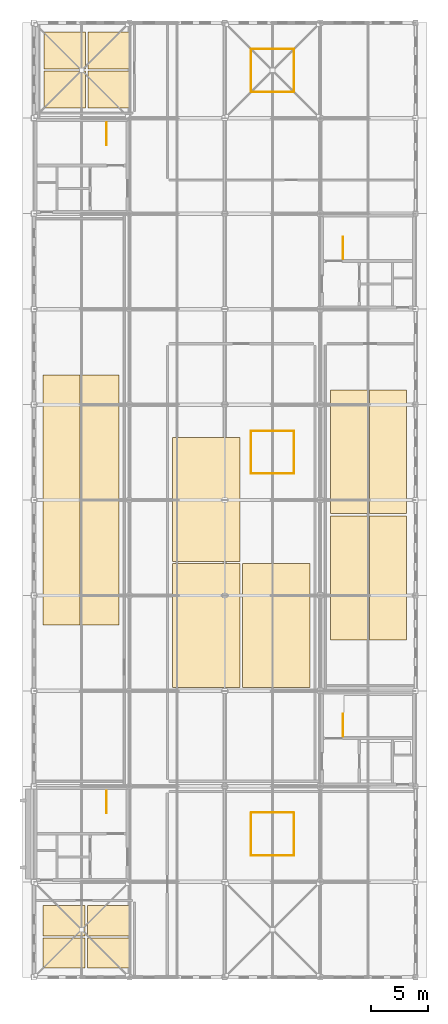
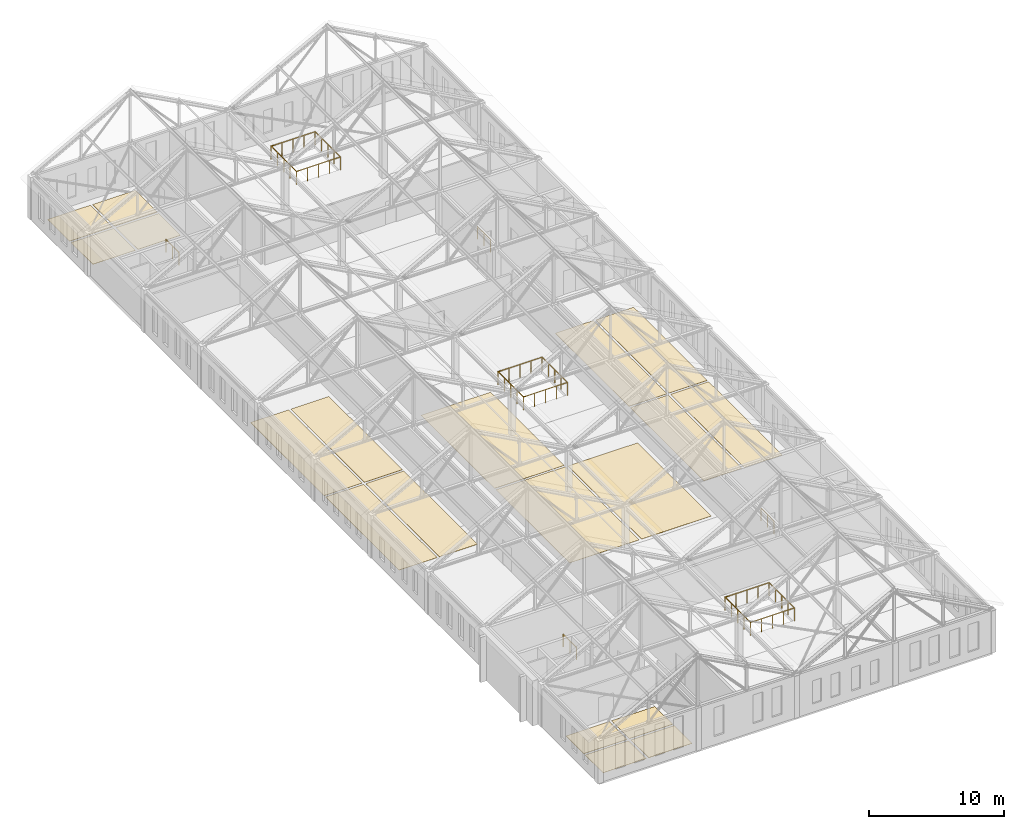
# One storey, part 36 of 36: 19 coverings, 16 railings.
"""IFC4 building model written with IfcOpenShell, lengths in metres."""

import ifcopenshell
import ifcopenshell.guid

model = None  # the IFC model being written
_history = None  # IfcOwnerHistory: only IFC2X3 demands one
_inside = {}  # id of a spatial element -> (the spatial element, [elements in it])
_under = {}  # id of a project, library or spatial element -> (it, [spatial elements below it])
_declared = {}  # id of a project -> (the project, [libraries it declares])
_typed = {}  # id of a type object -> (the type object, [elements of that type])
_made_of = {}  # id of a material, layer set ... -> (it, [elements and type objects made of it])


def new_model(schema):
    """Start an empty IFC model of exactly this schema.

    Asked for "IFC4X3", IfcOpenShell would pick the latest addendum, in which some entities
    have other attributes; the version numbers below select the first issue.
    IFC2X3 requires an IfcOwnerHistory on every rooted entity: one is made here for all.
    """
    global model, _history
    if schema == "IFC4X3":
        model = ifcopenshell.file(schema_version=(4, 3, 0, 0))
    else:
        model = ifcopenshell.file(schema=schema)
    _inside.clear()
    _under.clear()
    _declared.clear()
    _typed.clear()
    _made_of.clear()
    _history = None
    if model.schema == "IFC2X3":
        org = make("IfcOrganization", Name="unknown")
        user = make(
            "IfcPersonAndOrganization",
            ThePerson=make("IfcPerson", FamilyName="unknown"),
            TheOrganization=org,
        )
        app = make(
            "IfcApplication",
            ApplicationDeveloper=org,
            Version="unknown",
            ApplicationFullName="unknown",
            ApplicationIdentifier="unknown",
        )
        _history = make(
            "IfcOwnerHistory",
            OwningUser=user,
            OwningApplication=app,
            ChangeAction="ADDED",
            CreationDate=0,
        )
    return model


def make(cls, **values):
    """One entity of the class cls with the attributes given. An attribute that is None is left unset."""
    return model.create_entity(
        cls, **{name: value for name, value in values.items() if value is not None}
    )


def rooted(cls, **values):
    """An entity with a GlobalId (a new one), such as an element, a storey or a relation."""
    return make(cls, GlobalId=ifcopenshell.guid.new(), OwnerHistory=_history, **values)


def si_unit(unit_type, name, prefix=None):
    """IfcSIUnit, for example si_unit("LENGTHUNIT", "METRE", prefix="MILLI")."""
    return make("IfcSIUnit", UnitType=unit_type, Prefix=prefix, Name=name)


def assignment(units):
    """IfcUnitAssignment: the units of a project."""
    return None if units is None else make("IfcUnitAssignment", Units=units)


def point(xyz):
    """IfcCartesianPoint."""
    return None if xyz is None else make("IfcCartesianPoint", Coordinates=xyz)


def direction(xyz):
    """IfcDirection."""
    return None if xyz is None else make("IfcDirection", DirectionRatios=xyz)


def frame(location, z_axis=None, x_axis=None):
    """IfcAxis2Placement3D, a coordinate frame: its origin and axes. An axis left out is left unset."""
    return make(
        "IfcAxis2Placement3D",
        Location=point(location),
        Axis=direction(z_axis),
        RefDirection=direction(x_axis),
    )


def frame_2d(location, x_axis=None):
    """IfcAxis2Placement2D, a coordinate frame in the plane: its origin and x axis."""
    return make(
        "IfcAxis2Placement2D", Location=point(location), RefDirection=direction(x_axis)
    )


def origin():
    """The frame at (0, 0, 0) with its axes left unset."""
    return frame((0.0, 0.0, 0.0))


def origin_2d():
    """The frame at (0, 0) in the plane with its x axis left unset."""
    return frame_2d((0.0, 0.0))


def place(relative_to, where):
    """IfcLocalPlacement: puts the frame where relative to a parent placement (None: the world)."""
    return make(
        "IfcLocalPlacement", PlacementRelTo=relative_to, RelativePlacement=where
    )


def context(
    kind, dimensions, precision=None, world=None, true_north=None, identifier=None
):
    """IfcGeometricRepresentationContext, for example the 3D "Model" context."""
    return make(
        "IfcGeometricRepresentationContext",
        ContextIdentifier=identifier,
        ContextType=kind,
        CoordinateSpaceDimension=dimensions,
        Precision=precision,
        WorldCoordinateSystem=world,
        TrueNorth=true_north,
    )


def subcontext(parent, identifier, kind, view, scale=None):
    """IfcGeometricRepresentationSubContext, for example "Body" below "Model"."""
    return make(
        "IfcGeometricRepresentationSubContext",
        ContextIdentifier=identifier,
        ContextType=kind,
        ParentContext=parent,
        TargetScale=scale,
        TargetView=view,
    )


def project(units=None, contexts=None):
    """IfcProject with its units and contexts."""
    return rooted(
        "IfcProject",
        Name="project",
        RepresentationContexts=contexts,
        UnitsInContext=assignment(units),
    )


def spatial(cls, under=None, at=None, **own):
    """A site, building, storey or space (cls), placed at a placement, below another one or the project."""
    s = rooted(cls, ObjectPlacement=at, **own)
    if under is not None:
        _under.setdefault(under.id(), (under, []))[1].append(s)
    return s


def profile(cls, at=None, kind="AREA", **sizes):
    """A parametric profile (cls). Its sizes go by their IFC names, for example OverallWidth=200.0."""
    return make(cls, ProfileType=kind, Position=at, **sizes)


def rectangle(**sizes):
    """IfcRectangleProfileDef."""
    return profile("IfcRectangleProfileDef", **sizes)


def circle(**sizes):
    """IfcCircleProfileDef."""
    return profile("IfcCircleProfileDef", **sizes)


def extrude(swept, where, along, depth):
    """IfcExtrudedAreaSolid: the profile swept, set in the frame where, extruded along a direction by depth."""
    return make(
        "IfcExtrudedAreaSolid",
        SweptArea=swept,
        Position=where,
        ExtrudedDirection=direction(along),
        Depth=depth,
    )


def shape(context_of_items, identifier, shape_type, items):
    """IfcShapeRepresentation: the items that make up one representation, for example the "Body"."""
    return make(
        "IfcShapeRepresentation",
        ContextOfItems=context_of_items,
        RepresentationIdentifier=identifier,
        RepresentationType=shape_type,
        Items=items,
    )


def material(Name=None, Category=None):
    """IfcMaterial."""
    return make("IfcMaterial", Name=Name, Category=Category)


def layer(
    of_material, thickness, ventilated=None, Name=None, Category=None, Priority=None
):
    """IfcMaterialLayer: one layer of a wall or slab, of a material (None: an air gap)."""
    return make(
        "IfcMaterialLayer",
        Material=of_material,
        LayerThickness=thickness,
        IsVentilated=ventilated,
        Name=Name,
        Category=Category,
        Priority=Priority,
    )


def layer_set(layers, Name=None):
    """IfcMaterialLayerSet."""
    return make("IfcMaterialLayerSet", MaterialLayers=layers, LayerSetName=Name)


def made_of(thing, what):
    """Note that an element or type object is made of a material, layer set ...; save() writes the relation."""
    if what is not None:
        _made_of.setdefault(what.id(), (what, []))[1].append(thing)
    return thing


def type_object(cls, material=None, **own):
    """A type object (cls), such as IfcWallType, which elements share."""
    return made_of(rooted(cls, **own), material)


def element(
    cls,
    number,
    at=None,
    inside=None,
    cuts=None,
    type_object=None,
    material=None,
    context=None,
    identifier="Body",
    shape_type=None,
    held_by="IfcProductDefinitionShape",
    body=None,
    shapes=None,
    **own,
):
    """One element of the class cls, such as IfcWall. Its Tag is "e" and its number.

    at: its placement. inside: the storey or other place that contains it. cuts: it is an
    opening in that element (IfcRelVoidsElement). A single representation is given by context,
    identifier, shape_type and body (its items); several are given by shapes. held_by: the class
    of the entity that holds the representations. save() writes the other relations.
    """
    e = rooted(cls, Tag="e%d" % number, ObjectPlacement=at, **own)
    if body is not None:
        shapes = [shape(context, identifier, shape_type, body)]
    if shapes is not None:
        e.Representation = make(held_by, Representations=shapes)
    if inside is not None:
        _inside.setdefault(inside.id(), (inside, []))[1].append(e)
    if cuts is not None:
        rooted(
            "IfcRelVoidsElement", RelatingBuildingElement=cuts, RelatedOpeningElement=e
        )
    if type_object is not None:
        _typed.setdefault(type_object.id(), (type_object, []))[1].append(e)
    return made_of(e, material)


def aggregate(whole, parts):
    """IfcRelAggregates: a whole, such as a stair, and the parts it consists of."""
    return rooted("IfcRelAggregates", RelatingObject=whole, RelatedObjects=parts)


def save(model, path):
    """Write the relations noted so far, then the file.

    IfcRelAggregates (storeys below a building ...), IfcRelContainedInSpatialStructure (elements
    in a storey), IfcRelDefinesByType, IfcRelAssociatesMaterial and IfcRelDeclares: one each for
    every whole, place, type object, material and project.
    """
    for whole, parts in _under.values():
        aggregate(whole, parts)
    for where, things in _inside.values():
        rooted(
            "IfcRelContainedInSpatialStructure",
            RelatedElements=things,
            RelatingStructure=where,
        )
    for kind, things in _typed.values():
        rooted("IfcRelDefinesByType", RelatedObjects=things, RelatingType=kind)
    for what, things in _made_of.values():
        rooted("IfcRelAssociatesMaterial", RelatedObjects=things, RelatingMaterial=what)
    for by, libraries in _declared.values():
        rooted("IfcRelDeclares", RelatingContext=by, RelatedDefinitions=libraries)
    model.write(path)


model = new_model("IFC4")

# Units and contexts
model_context = context("Model", 3, precision=1e-05, world=origin(), true_north=direction((0.0, 1.0)))
body_context = subcontext(model_context, "Body", "Model", "MODEL_VIEW")
ifc_project = project(units=[si_unit("LENGTHUNIT", "METRE"), si_unit("AREAUNIT", "SQUARE_METRE"), si_unit("VOLUMEUNIT", "CUBIC_METRE"), si_unit("PLANEANGLEUNIT", "RADIAN"), si_unit("MASSUNIT", "GRAM", prefix="KILO")], contexts=[model_context])

# Site, building, storey
site_placement = place(None, origin())
site = spatial("IfcSite", under=ifc_project, at=site_placement, CompositionType="ELEMENT")
building_placement = place(site_placement, origin())
building = spatial("IfcBuilding", under=site, at=building_placement, Name="Kveldsbrygga Polytechnic", CompositionType="ELEMENT")
storey_placement = place(building_placement, frame((0.0, 0.0, 26.179931640625)))
storey = spatial("IfcBuildingStorey", under=building, at=storey_placement, Name="L06", CompositionType="ELEMENT", Elevation=26.179931640625)

# Coverings
ifc_material_1 = material(Name="Iddefjord granite honed paving", Category="masonry")
ifc_layer_1 = layer(ifc_material_1, 0.02490234375)
ifc_layer_set_1 = layer_set([ifc_layer_1], Name="Iddefjord granite honed paving")
covering_type_1 = type_object("IfcCoveringType", Name="COV-FLR-GRN25", PredefinedType="FLOORING", material=ifc_layer_set_1)
for number, where, z_axis, x_axis, name in (
    (1, (128.72509765625, 94.925048828125, 0.0), (0.0, 0.0, 1.0), (1.0, 0.0, 0.0), "Room Flooring SP-L06-WC1-WS"),
    (2, (128.72509765625, 98.375, 0.0), (0.0, 0.0, 1.0), (1.0, 0.0, 0.0), "Room Flooring SP-L06-WC1-WN"),
    (3, (132.574951171875, 94.925048828125, 0.0), (0.0, 0.0, 1.0), (1.0, 0.0, 0.0), "Room Flooring SP-L06-WC1-ES"),
    (4, (132.574951171875, 98.375, 0.0), (0.0, 0.0, 1.0), (1.0, 0.0, 0.0), "Room Flooring SP-L06-WC1-EN"),
):
    element("IfcCovering", number, at=place(storey_placement, frame(where, z_axis=z_axis, x_axis=x_axis)), inside=storey, type_object=covering_type_1, Name=name, PredefinedType="FLOORING", context=body_context, shape_type="SweptSolid", body=[
        extrude(rectangle(XDim=3.64990234375, YDim=3.25, at=origin_2d()), origin(), (0.0, 0.0, 1.0), 0.02490234375),
    ])
ifc_material_2 = material(Name="Acoustic oak timber flooring", Category="wood")
ifc_layer_2 = layer(ifc_material_2, 0.02197265625)
ifc_layer_set_2 = layer_set([ifc_layer_2], Name="Acoustic oak timber flooring")
covering_type_2 = type_object("IfcCoveringType", Name="COV-FLR-OAK22", PredefinedType="FLOORING", material=ifc_layer_set_2)
for number, where, z_axis, x_axis, name in (
    (5, (128.425048828125, 53.25, 0.0), (0.0, 0.0, 1.0), (1.0, 0.0, 0.0), "Room Flooring SP-L06-STD61-WS"),
    (6, (128.425048828125, 64.35009765625, 0.0), (0.0, 0.0, 1.0), (1.0, 0.0, 0.0), "Room Flooring SP-L06-STD61-WN"),
    (7, (131.875, 53.25, 0.0), (0.0, 0.0, 1.0), (1.0, 0.0, 0.0), "Room Flooring SP-L06-STD61-ES"),
    (8, (131.875, 64.35009765625, 0.0), (0.0, 0.0, 1.0), (1.0, 0.0, 0.0), "Room Flooring SP-L06-STD61-EN"),
):
    element("IfcCovering", number, at=place(storey_placement, frame(where, z_axis=z_axis, x_axis=x_axis)), inside=storey, type_object=covering_type_2, Name=name, PredefinedType="FLOORING", context=body_context, shape_type="SweptSolid", body=[
        extrude(rectangle(XDim=3.25, YDim=10.89990234375, at=origin_2d()), origin(), (0.0, 0.0, 1.0), 0.02197265625),
    ])
for number, where, z_axis, x_axis, name in (
    (9, (128.64990234375, 18.925048828125, 0.0), (0.0, 0.0, 1.0), (1.0, 0.0, 0.0), "Room Flooring SP-L06-STD62-WS"),
    (10, (128.64990234375, 21.77490234375, 0.0), (0.0, 0.0, 1.0), (1.0, 0.0, 0.0), "Room Flooring SP-L06-STD62-WN"),
    (11, (132.550048828125, 18.925048828125, 0.0), (0.0, 0.0, 1.0), (1.0, 0.0, 0.0), "Room Flooring SP-L06-STD62-ES"),
    (12, (132.550048828125, 21.77490234375, 0.0), (0.0, 0.0, 1.0), (1.0, 0.0, 0.0), "Room Flooring SP-L06-STD62-EN"),
):
    element("IfcCovering", number, at=place(storey_placement, frame(where, z_axis=z_axis, x_axis=x_axis)), inside=storey, type_object=covering_type_2, Name=name, PredefinedType="FLOORING", context=body_context, shape_type="SweptSolid", body=[
        extrude(rectangle(XDim=3.699951171875, YDim=2.64990234375, at=origin_2d()), origin(), (0.0, 0.0, 1.0), 0.02197265625),
    ])
for number, where, z_axis, x_axis, name in (
    (13, (141.175048828125, 47.75, 0.0), (0.0, 0.0, 1.0), (1.0, 0.0, 0.0), "Room Flooring SP-L06-CRIT-WS"),
    (14, (141.175048828125, 58.85009765625, 0.0), (0.0, 0.0, 1.0), (1.0, 0.0, 0.0), "Room Flooring SP-L06-CRIT-WN"),
    (15, (147.324951171875, 47.75, 0.0), (0.0, 0.0, 1.0), (1.0, 0.0, 0.0), "Room Flooring SP-L06-CRIT-ES"),
):
    element("IfcCovering", number, at=place(storey_placement, frame(where, z_axis=z_axis, x_axis=x_axis)), inside=storey, type_object=covering_type_2, Name=name, PredefinedType="FLOORING", context=body_context, shape_type="SweptSolid", body=[
        extrude(rectangle(XDim=5.949951171875, YDim=10.89990234375, at=origin_2d()), origin(), (0.0, 0.0, 1.0), 0.02197265625),
    ])
for number, where, z_axis, x_axis, name in (
    (16, (153.72509765625, 51.949951171875, 0.0), (0.0, 0.0, 1.0), (1.0, 0.0, 0.0), "Room Flooring SP-L06-SEM61-WS"),
    (17, (153.72509765625, 63.050048828125, 0.0), (0.0, 0.0, 1.0), (1.0, 0.0, 0.0), "Room Flooring SP-L06-SEM61-WN"),
    (18, (157.175048828125, 51.949951171875, 0.0), (0.0, 0.0, 1.0), (1.0, 0.0, 0.0), "Room Flooring SP-L06-SEM61-ES"),
    (19, (157.175048828125, 63.050048828125, 0.0), (0.0, 0.0, 1.0), (1.0, 0.0, 0.0), "Room Flooring SP-L06-SEM61-EN"),
):
    element("IfcCovering", number, at=place(storey_placement, frame(where, z_axis=z_axis, x_axis=x_axis)), inside=storey, type_object=covering_type_2, Name=name, PredefinedType="FLOORING", context=body_context, shape_type="SweptSolid", body=[
        extrude(rectangle(XDim=3.25, YDim=10.89990234375, at=origin_2d()), origin(), (0.0, 0.0, 1.0), 0.02197265625),
    ])

# Railings
ifc_material_3 = material(Name="Steel S355", Category="steel")
railing_type_1 = type_object("IfcRailingType", Name="RL-STAIR-GRD", PredefinedType="GUARDRAIL", material=ifc_material_3)
for number, where, name in (
    (20, (132.39990234375, 33.199951171875, 0.0), "L06 ST-1 top well guard 1"),
    (21, (132.39990234375, 92.0, 0.0), "L06 ST-2 top well guard 1"),
):
    element("IfcRailing", number, at=place(storey_placement, frame(where)), inside=storey, type_object=railing_type_1, Name=name, PredefinedType="GUARDRAIL", context=body_context, shape_type="SweptSolid", body=[
        extrude(circle(Radius=0.02392578125, at=origin_2d()), frame((0.0, 0.0, 1.1259765625), z_axis=(0.0, -1.0, 0.0), x_axis=(1.0, 0.0, 0.0)), (0.0, 0.0, 1.0), 1.949951171875),
        extrude(circle(Radius=0.02099609375, at=origin_2d()), origin(), (0.0, 0.0, 1.0), 1.097900390625),
        extrude(circle(Radius=0.02099609375, at=origin_2d()), frame((0.0, -0.97509765625, 0.0)), (0.0, 0.0, 1.0), 1.097900390625),
        extrude(circle(Radius=0.02099609375, at=origin_2d()), frame((0.0, -1.949951171875, 0.0)), (0.0, 0.0, 1.0), 1.097900390625),
    ])
for number, where, name in (
    (22, (153.199951171875, 38.0, 0.0), "L06 ST-3 top well guard 1"),
    (23, (153.199951171875, 80.0, 0.0), "L06 ST-4 top well guard 1"),
):
    element("IfcRailing", number, at=place(storey_placement, frame(where)), inside=storey, type_object=railing_type_1, Name=name, PredefinedType="GUARDRAIL", context=body_context, shape_type="SweptSolid", body=[
        extrude(circle(Radius=0.02392578125, at=origin_2d()), frame((0.0, 0.0, 1.1259765625), z_axis=(0.0, 1.0, 0.0), x_axis=(-1.0, 0.0, 0.0)), (0.0, 0.0, 1.0), 1.949951171875),
        extrude(circle(Radius=0.02099609375, at=origin_2d()), origin(), (0.0, 0.0, 1.0), 1.097900390625),
        extrude(circle(Radius=0.02099609375, at=origin_2d()), frame((0.0, 0.97509765625, 0.0)), (0.0, 0.0, 1.0), 1.097900390625),
        extrude(circle(Radius=0.02099609375, at=origin_2d()), frame((0.0, 1.949951171875, 0.0)), (0.0, 0.0, 1.0), 1.097900390625),
    ])
railing_type_2 = type_object("IfcRailingType", Name="RL-VOID-GRD", PredefinedType="GUARDRAIL", material=ifc_material_3)
railing_1_placement = place(storey_placement, frame((145.1201171875, 27.52001953125, 0.0)))
element("IfcRailing", 24, at=railing_1_placement, inside=storey, type_object=railing_type_2, Name="Atrium Well Guard GRD-L06-WELL-3-S", PredefinedType="GUARDRAIL", context=body_context, shape_type="SweptSolid", body=[
    extrude(circle(Radius=0.02392578125, at=origin_2d()), frame((0.0, 0.0, 1.17578125), z_axis=(1.0, 0.0, 0.0), x_axis=(0.0, 1.0, 0.0)), (0.0, 0.0, 1.0), 3.759765625),
    extrude(circle(Radius=0.02099609375, at=origin_2d()), origin(), (0.0, 0.0, 1.0), 1.14794921875),
    extrude(circle(Radius=0.02099609375, at=origin_2d()), frame((0.93994140625, 0.0, 0.0)), (0.0, 0.0, 1.0), 1.14794921875),
    extrude(circle(Radius=0.02099609375, at=origin_2d()), frame((1.8798828125, 0.0, 0.0)), (0.0, 0.0, 1.0), 1.14794921875),
    extrude(circle(Radius=0.02099609375, at=origin_2d()), frame((2.81982421875, 0.0, 0.0)), (0.0, 0.0, 1.0), 1.14794921875),
    extrude(circle(Radius=0.02099609375, at=origin_2d()), frame((3.759765625, 0.0, 0.0)), (0.0, 0.0, 1.0), 1.14794921875),
])
railing_2_placement = place(storey_placement, frame((148.8798828125, 27.52001953125, 0.0)))
element("IfcRailing", 25, at=railing_2_placement, inside=storey, type_object=railing_type_2, Name="Atrium Well Guard GRD-L06-WELL-3-E", PredefinedType="GUARDRAIL", context=body_context, shape_type="SweptSolid", body=[
    extrude(circle(Radius=0.02392578125, at=origin_2d()), frame((0.0, 0.0, 1.17578125), z_axis=(0.0, 1.0, 0.0), x_axis=(-1.0, 0.0, 0.0)), (0.0, 0.0, 1.0), 3.760009765625),
    extrude(circle(Radius=0.02099609375, at=origin_2d()), origin(), (0.0, 0.0, 1.0), 1.14794921875),
    extrude(circle(Radius=0.02099609375, at=origin_2d()), frame((0.0, 0.93994140625, 0.0)), (0.0, 0.0, 1.0), 1.14794921875),
    extrude(circle(Radius=0.02099609375, at=origin_2d()), frame((0.0, 1.8798828125, 0.0)), (0.0, 0.0, 1.0), 1.14794921875),
    extrude(circle(Radius=0.02099609375, at=origin_2d()), frame((0.0, 2.820068359375, 0.0)), (0.0, 0.0, 1.0), 1.14794921875),
    extrude(circle(Radius=0.02099609375, at=origin_2d()), frame((0.0, 3.760009765625, 0.0)), (0.0, 0.0, 1.0), 1.14794921875),
])
railing_3_placement = place(storey_placement, frame((148.8798828125, 31.280029296875, 0.0)))
element("IfcRailing", 26, at=railing_3_placement, inside=storey, type_object=railing_type_2, Name="Atrium Well Guard GRD-L06-WELL-3-N", PredefinedType="GUARDRAIL", context=body_context, shape_type="SweptSolid", body=[
    extrude(circle(Radius=0.02392578125, at=origin_2d()), frame((0.0, 0.0, 1.17578125), z_axis=(-1.0, 0.0, 0.0), x_axis=(0.0, -1.0, 0.0)), (0.0, 0.0, 1.0), 3.759765625),
    extrude(circle(Radius=0.02099609375, at=origin_2d()), origin(), (0.0, 0.0, 1.0), 1.14794921875),
    extrude(circle(Radius=0.02099609375, at=origin_2d()), frame((-0.93994140625, 0.0, 0.0)), (0.0, 0.0, 1.0), 1.14794921875),
    extrude(circle(Radius=0.02099609375, at=origin_2d()), frame((-1.8798828125, 0.0, 0.0)), (0.0, 0.0, 1.0), 1.14794921875),
    extrude(circle(Radius=0.02099609375, at=origin_2d()), frame((-2.81982421875, 0.0, 0.0)), (0.0, 0.0, 1.0), 1.14794921875),
    extrude(circle(Radius=0.02099609375, at=origin_2d()), frame((-3.759765625, 0.0, 0.0)), (0.0, 0.0, 1.0), 1.14794921875),
])
railing_4_placement = place(storey_placement, frame((145.1201171875, 31.280029296875, 0.0)))
element("IfcRailing", 27, at=railing_4_placement, inside=storey, type_object=railing_type_2, Name="Atrium Well Guard GRD-L06-WELL-3-W", PredefinedType="GUARDRAIL", context=body_context, shape_type="SweptSolid", body=[
    extrude(circle(Radius=0.02392578125, at=origin_2d()), frame((0.0, 0.0, 1.17578125), z_axis=(0.0, -1.0, 0.0), x_axis=(1.0, 0.0, 0.0)), (0.0, 0.0, 1.0), 3.760009765625),
    extrude(circle(Radius=0.02099609375, at=origin_2d()), origin(), (0.0, 0.0, 1.0), 1.14794921875),
    extrude(circle(Radius=0.02099609375, at=origin_2d()), frame((0.0, -0.93994140625, 0.0)), (0.0, 0.0, 1.0), 1.14794921875),
    extrude(circle(Radius=0.02099609375, at=origin_2d()), frame((0.0, -1.8798828125, 0.0)), (0.0, 0.0, 1.0), 1.14794921875),
    extrude(circle(Radius=0.02099609375, at=origin_2d()), frame((0.0, -2.820068359375, 0.0)), (0.0, 0.0, 1.0), 1.14794921875),
    extrude(circle(Radius=0.02099609375, at=origin_2d()), frame((0.0, -3.760009765625, 0.0)), (0.0, 0.0, 1.0), 1.14794921875),
])
railing_5_placement = place(storey_placement, frame((145.1201171875, 61.1201171875, 0.0)))
element("IfcRailing", 28, at=railing_5_placement, inside=storey, type_object=railing_type_2, Name="Atrium Well Guard GRD-L06-WELL-7-S", PredefinedType="GUARDRAIL", context=body_context, shape_type="SweptSolid", body=[
    extrude(circle(Radius=0.02392578125, at=origin_2d()), frame((0.0, 0.0, 1.17578125), z_axis=(1.0, 0.0, 0.0), x_axis=(0.0, 1.0, 0.0)), (0.0, 0.0, 1.0), 3.759765625),
    extrude(circle(Radius=0.02099609375, at=origin_2d()), origin(), (0.0, 0.0, 1.0), 1.14794921875),
    extrude(circle(Radius=0.02099609375, at=origin_2d()), frame((0.93994140625, 0.0, 0.0)), (0.0, 0.0, 1.0), 1.14794921875),
    extrude(circle(Radius=0.02099609375, at=origin_2d()), frame((1.8798828125, 0.0, 0.0)), (0.0, 0.0, 1.0), 1.14794921875),
    extrude(circle(Radius=0.02099609375, at=origin_2d()), frame((2.81982421875, 0.0, 0.0)), (0.0, 0.0, 1.0), 1.14794921875),
    extrude(circle(Radius=0.02099609375, at=origin_2d()), frame((3.759765625, 0.0, 0.0)), (0.0, 0.0, 1.0), 1.14794921875),
])
railing_6_placement = place(storey_placement, frame((148.8798828125, 61.1201171875, 0.0)))
element("IfcRailing", 29, at=railing_6_placement, inside=storey, type_object=railing_type_2, Name="Atrium Well Guard GRD-L06-WELL-7-E", PredefinedType="GUARDRAIL", context=body_context, shape_type="SweptSolid", body=[
    extrude(circle(Radius=0.02392578125, at=origin_2d()), frame((0.0, 0.0, 1.17578125), z_axis=(0.0, 1.0, 0.0), x_axis=(-1.0, 0.0, 0.0)), (0.0, 0.0, 1.0), 3.759765625),
    extrude(circle(Radius=0.02099609375, at=origin_2d()), origin(), (0.0, 0.0, 1.0), 1.14794921875),
    extrude(circle(Radius=0.02099609375, at=origin_2d()), frame((0.0, 0.93994140625, 0.0)), (0.0, 0.0, 1.0), 1.14794921875),
    extrude(circle(Radius=0.02099609375, at=origin_2d()), frame((0.0, 1.8798828125, 0.0)), (0.0, 0.0, 1.0), 1.14794921875),
    extrude(circle(Radius=0.02099609375, at=origin_2d()), frame((0.0, 2.81982421875, 0.0)), (0.0, 0.0, 1.0), 1.14794921875),
    extrude(circle(Radius=0.02099609375, at=origin_2d()), frame((0.0, 3.759765625, 0.0)), (0.0, 0.0, 1.0), 1.14794921875),
])
railing_7_placement = place(storey_placement, frame((148.8798828125, 64.8798828125, 0.0)))
element("IfcRailing", 30, at=railing_7_placement, inside=storey, type_object=railing_type_2, Name="Atrium Well Guard GRD-L06-WELL-7-N", PredefinedType="GUARDRAIL", context=body_context, shape_type="SweptSolid", body=[
    extrude(circle(Radius=0.02392578125, at=origin_2d()), frame((0.0, 0.0, 1.17578125), z_axis=(-1.0, 0.0, 0.0), x_axis=(0.0, -1.0, 0.0)), (0.0, 0.0, 1.0), 3.759765625),
    extrude(circle(Radius=0.02099609375, at=origin_2d()), origin(), (0.0, 0.0, 1.0), 1.14794921875),
    extrude(circle(Radius=0.02099609375, at=origin_2d()), frame((-0.93994140625, 0.0, 0.0)), (0.0, 0.0, 1.0), 1.14794921875),
    extrude(circle(Radius=0.02099609375, at=origin_2d()), frame((-1.8798828125, 0.0, 0.0)), (0.0, 0.0, 1.0), 1.14794921875),
    extrude(circle(Radius=0.02099609375, at=origin_2d()), frame((-2.81982421875, 0.0, 0.0)), (0.0, 0.0, 1.0), 1.14794921875),
    extrude(circle(Radius=0.02099609375, at=origin_2d()), frame((-3.759765625, 0.0, 0.0)), (0.0, 0.0, 1.0), 1.14794921875),
])
railing_8_placement = place(storey_placement, frame((145.1201171875, 64.8798828125, 0.0)))
element("IfcRailing", 31, at=railing_8_placement, inside=storey, type_object=railing_type_2, Name="Atrium Well Guard GRD-L06-WELL-7-W", PredefinedType="GUARDRAIL", context=body_context, shape_type="SweptSolid", body=[
    extrude(circle(Radius=0.02392578125, at=origin_2d()), frame((0.0, 0.0, 1.17578125), z_axis=(0.0, -1.0, 0.0), x_axis=(1.0, 0.0, 0.0)), (0.0, 0.0, 1.0), 3.759765625),
    extrude(circle(Radius=0.02099609375, at=origin_2d()), origin(), (0.0, 0.0, 1.0), 1.14794921875),
    extrude(circle(Radius=0.02099609375, at=origin_2d()), frame((0.0, -0.93994140625, 0.0)), (0.0, 0.0, 1.0), 1.14794921875),
    extrude(circle(Radius=0.02099609375, at=origin_2d()), frame((0.0, -1.8798828125, 0.0)), (0.0, 0.0, 1.0), 1.14794921875),
    extrude(circle(Radius=0.02099609375, at=origin_2d()), frame((0.0, -2.81982421875, 0.0)), (0.0, 0.0, 1.0), 1.14794921875),
    extrude(circle(Radius=0.02099609375, at=origin_2d()), frame((0.0, -3.759765625, 0.0)), (0.0, 0.0, 1.0), 1.14794921875),
])
railing_9_placement = place(storey_placement, frame((145.1201171875, 94.719970703125, 0.0)))
element("IfcRailing", 32, at=railing_9_placement, inside=storey, type_object=railing_type_2, Name="Atrium Well Guard GRD-L06-WELL-11-S", PredefinedType="GUARDRAIL", context=body_context, shape_type="SweptSolid", body=[
    extrude(circle(Radius=0.02392578125, at=origin_2d()), frame((0.0, 0.0, 1.17578125), z_axis=(1.0, 0.0, 0.0), x_axis=(0.0, 1.0, 0.0)), (0.0, 0.0, 1.0), 3.759765625),
    extrude(circle(Radius=0.02099609375, at=origin_2d()), origin(), (0.0, 0.0, 1.0), 1.14794921875),
    extrude(circle(Radius=0.02099609375, at=origin_2d()), frame((0.93994140625, 0.0, 0.0)), (0.0, 0.0, 1.0), 1.14794921875),
    extrude(circle(Radius=0.02099609375, at=origin_2d()), frame((1.8798828125, 0.0, 0.0)), (0.0, 0.0, 1.0), 1.14794921875),
    extrude(circle(Radius=0.02099609375, at=origin_2d()), frame((2.81982421875, 0.0, 0.0)), (0.0, 0.0, 1.0), 1.14794921875),
    extrude(circle(Radius=0.02099609375, at=origin_2d()), frame((3.759765625, 0.0, 0.0)), (0.0, 0.0, 1.0), 1.14794921875),
])
railing_10_placement = place(storey_placement, frame((148.8798828125, 94.719970703125, 0.0)))
element("IfcRailing", 33, at=railing_10_placement, inside=storey, type_object=railing_type_2, Name="Atrium Well Guard GRD-L06-WELL-11-E", PredefinedType="GUARDRAIL", context=body_context, shape_type="SweptSolid", body=[
    extrude(circle(Radius=0.02392578125, at=origin_2d()), frame((0.0, 0.0, 1.17578125), z_axis=(0.0, 1.0, 0.0), x_axis=(-1.0, 0.0, 0.0)), (0.0, 0.0, 1.0), 3.760009765625),
    extrude(circle(Radius=0.02099609375, at=origin_2d()), origin(), (0.0, 0.0, 1.0), 1.14794921875),
    extrude(circle(Radius=0.02099609375, at=origin_2d()), frame((0.0, 0.93994140625, 0.0)), (0.0, 0.0, 1.0), 1.14794921875),
    extrude(circle(Radius=0.02099609375, at=origin_2d()), frame((0.0, 1.8798828125, 0.0)), (0.0, 0.0, 1.0), 1.14794921875),
    extrude(circle(Radius=0.02099609375, at=origin_2d()), frame((0.0, 2.820068359375, 0.0)), (0.0, 0.0, 1.0), 1.14794921875),
    extrude(circle(Radius=0.02099609375, at=origin_2d()), frame((0.0, 3.760009765625, 0.0)), (0.0, 0.0, 1.0), 1.14794921875),
])
railing_11_placement = place(storey_placement, frame((148.8798828125, 98.47998046875, 0.0)))
element("IfcRailing", 34, at=railing_11_placement, inside=storey, type_object=railing_type_2, Name="Atrium Well Guard GRD-L06-WELL-11-N", PredefinedType="GUARDRAIL", context=body_context, shape_type="SweptSolid", body=[
    extrude(circle(Radius=0.02392578125, at=origin_2d()), frame((0.0, 0.0, 1.17578125), z_axis=(-1.0, 0.0, 0.0), x_axis=(0.0, -1.0, 0.0)), (0.0, 0.0, 1.0), 3.759765625),
    extrude(circle(Radius=0.02099609375, at=origin_2d()), origin(), (0.0, 0.0, 1.0), 1.14794921875),
    extrude(circle(Radius=0.02099609375, at=origin_2d()), frame((-0.93994140625, 0.0, 0.0)), (0.0, 0.0, 1.0), 1.14794921875),
    extrude(circle(Radius=0.02099609375, at=origin_2d()), frame((-1.8798828125, 0.0, 0.0)), (0.0, 0.0, 1.0), 1.14794921875),
    extrude(circle(Radius=0.02099609375, at=origin_2d()), frame((-2.81982421875, 0.0, 0.0)), (0.0, 0.0, 1.0), 1.14794921875),
    extrude(circle(Radius=0.02099609375, at=origin_2d()), frame((-3.759765625, 0.0, 0.0)), (0.0, 0.0, 1.0), 1.14794921875),
])
railing_12_placement = place(storey_placement, frame((145.1201171875, 98.47998046875, 0.0)))
element("IfcRailing", 35, at=railing_12_placement, inside=storey, type_object=railing_type_2, Name="Atrium Well Guard GRD-L06-WELL-11-W", PredefinedType="GUARDRAIL", context=body_context, shape_type="SweptSolid", body=[
    extrude(circle(Radius=0.02392578125, at=origin_2d()), frame((0.0, 0.0, 1.17578125), z_axis=(0.0, -1.0, 0.0), x_axis=(1.0, 0.0, 0.0)), (0.0, 0.0, 1.0), 3.760009765625),
    extrude(circle(Radius=0.02099609375, at=origin_2d()), origin(), (0.0, 0.0, 1.0), 1.14794921875),
    extrude(circle(Radius=0.02099609375, at=origin_2d()), frame((0.0, -0.93994140625, 0.0)), (0.0, 0.0, 1.0), 1.14794921875),
    extrude(circle(Radius=0.02099609375, at=origin_2d()), frame((0.0, -1.8798828125, 0.0)), (0.0, 0.0, 1.0), 1.14794921875),
    extrude(circle(Radius=0.02099609375, at=origin_2d()), frame((0.0, -2.820068359375, 0.0)), (0.0, 0.0, 1.0), 1.14794921875),
    extrude(circle(Radius=0.02099609375, at=origin_2d()), frame((0.0, -3.760009765625, 0.0)), (0.0, 0.0, 1.0), 1.14794921875),
])

save(model, "model.ifc")
